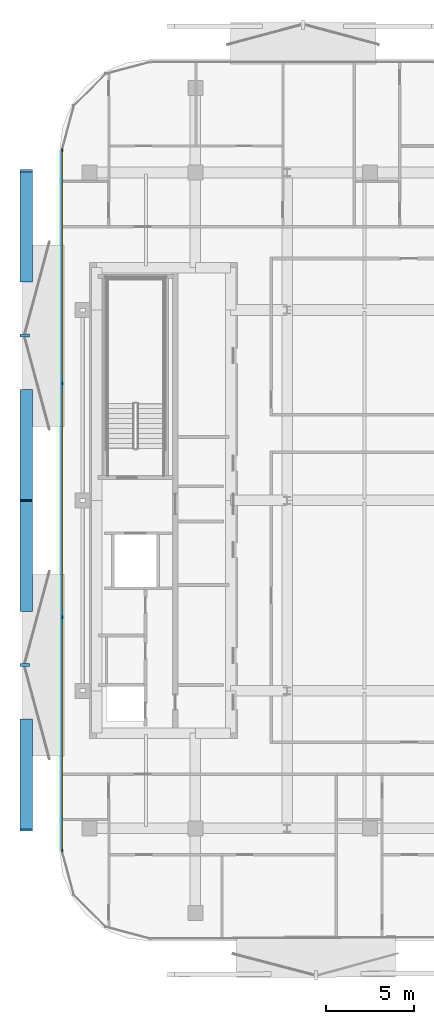
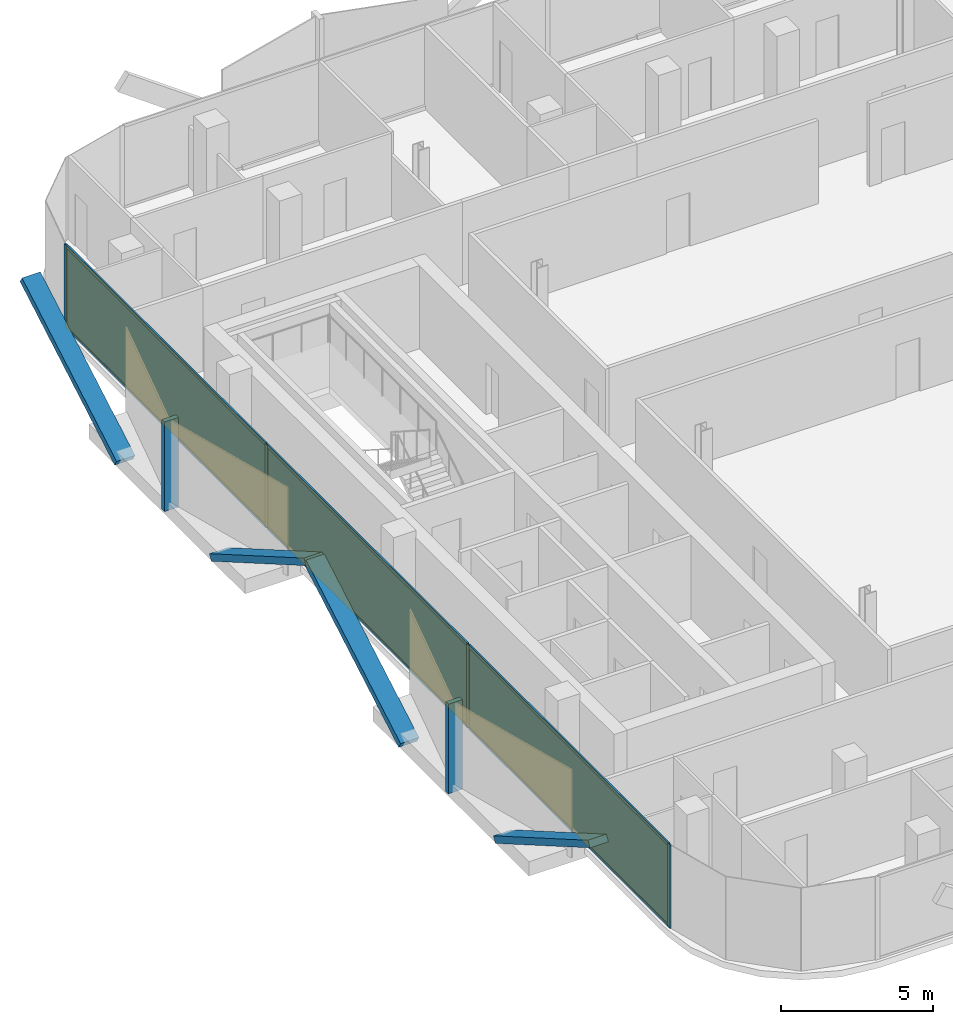
# One storey, part 9 of 15: 16 members, 3 plates, 1 curtain wall.
"""IFC4 building model written with IfcOpenShell, lengths in metres."""

from ifc_helpers import new_model, si_unit, direction, frame, frame_2d, origin, origin_2d, place, context, subcontext, project, spatial, rectangle, extrude, material, layer, layer_set, material_profile, profile_set, type_object, element, aggregate, save


model = new_model("IFC4")

# Units and contexts
model_context = context("Model", 3, precision=1e-05, world=origin(), true_north=direction((0.0, 1.0)))
body_context = subcontext(model_context, "Body", "Model", "MODEL_VIEW")
ifc_project = project(units=[si_unit("LENGTHUNIT", "METRE"), si_unit("AREAUNIT", "SQUARE_METRE"), si_unit("VOLUMEUNIT", "CUBIC_METRE"), si_unit("PLANEANGLEUNIT", "RADIAN"), si_unit("MASSUNIT", "GRAM", prefix="KILO")], contexts=[model_context])

# Member
ifc_material_1 = material(Name="Anodised Bronze Aluminium 6063-T6", Category="aluminium")
ifc_material_profile_1 = material_profile(ifc_material_1, rectangle(XDim=0.260009765625, YDim=0.699951171875, at=origin_2d()))
ifc_profile_set_1 = profile_set([ifc_material_profile_1], Name="Anodised Bronze Aluminium 6063-T6")
member_type_1 = type_object("IfcMemberType", Name="Bronze Diamond Solar-Screen Lattice Rib BDL-700", PredefinedType="MULLION", material=ifc_profile_set_1)
site_placement = place(None, origin())
building_placement = place(site_placement, origin())
storey_placement = place(building_placement, frame((0.0, 0.0, 251.199951171875)))
member_1_placement = place(storey_placement, frame((-24.0, -6.230224609375, -0.1298828125), z_axis=(0.0, 0.865854948139, 0.500295121686), x_axis=(0.0, -0.500295121686, 0.865854948139)))
member_1 = element("IfcMember", 1, at=member_1_placement, type_object=member_type_1, Name="L59 Bronze Diamond Solar Screen Lattice Rib 403A", PredefinedType="MULLION", context=body_context, shape_type="SweptSolid", body=[
    extrude(rectangle(XDim=0.260009765625, YDim=0.699951171875, at=origin_2d()), origin(), (0.0, 0.0, 1.0), 7.195556640625),
])

member_2_placement = place(storey_placement, frame((-24.0, -12.46044921875, -0.1298828125), z_axis=(0.0, -0.865863440235, 0.500280424227), x_axis=(0.0, 0.500280424227, 0.865863440235)))
member_2 = element("IfcMember", 2, at=member_2_placement, type_object=member_type_1, Name="L59 Bronze Diamond Solar Screen Lattice Rib 403B", PredefinedType="MULLION", context=body_context, shape_type="SweptSolid", body=[
    extrude(rectangle(XDim=0.260009765625, YDim=0.699951171875, at=origin_2d()), origin(), (0.0, 0.0, 1.0), 7.195556640625),
])

member_3_placement = place(storey_placement, frame((-24.0, 12.46044921875, -0.1298828125), z_axis=(0.0, 0.865863440235, 0.500280424227), x_axis=(0.0, -0.500280424227, 0.865863440235)))
member_3 = element("IfcMember", 3, at=member_3_placement, type_object=member_type_1, Name="L59 Bronze Diamond Solar Screen Lattice Rib 404A", PredefinedType="MULLION", context=body_context, shape_type="SweptSolid", body=[
    extrude(rectangle(XDim=0.260009765625, YDim=0.699951171875, at=origin_2d()), origin(), (0.0, 0.0, 1.0), 7.195556640625),
])

member_4_placement = place(storey_placement, frame((-24.0, 6.230224609375, -0.1298828125), z_axis=(0.0, -0.865854948139, 0.500295121686), x_axis=(0.0, 0.500295121686, 0.865854948139)))
member_4 = element("IfcMember", 4, at=member_4_placement, type_object=member_type_1, Name="L59 Bronze Diamond Solar Screen Lattice Rib 404B", PredefinedType="MULLION", context=body_context, shape_type="SweptSolid", body=[
    extrude(rectangle(XDim=0.260009765625, YDim=0.699951171875, at=origin_2d()), origin(), (0.0, 0.0, 1.0), 7.195556640625),
])

ifc_material_2 = material(Name="Anodised Bronze Aluminium 6063-T6", Category="aluminium")
ifc_material_profile_2 = material_profile(ifc_material_2, rectangle(XDim=0.179931640625, YDim=0.5400390625, at=origin_2d()))
ifc_profile_set_2 = profile_set([ifc_material_profile_2], Name="Anodised Bronze Aluminium 6063-T6")
member_type_2 = type_object("IfcMemberType", Name="Bronze Solar-Screen Vertical Fold Fin BSF-540", PredefinedType="MULLION", material=ifc_profile_set_2)
member_5_placement = place(storey_placement, frame((-24.080078125, -9.345458984375, -0.1298828125), z_axis=(0.0, 0.0, 1.0), x_axis=(0.0, 1.0, 0.0)))
member_5 = element("IfcMember", 5, at=member_5_placement, type_object=member_type_2, Name="L59 Bronze Solar Screen Vertical Fin 403", PredefinedType="MULLION", context=body_context, shape_type="SweptSolid", body=[
    extrude(rectangle(XDim=0.179931640625, YDim=0.5400390625, at=origin_2d()), origin(), (0.0, 0.0, 1.0), 3.599853515625),
])

member_6_placement = place(storey_placement, frame((-24.080078125, 9.345458984375, -0.1298828125), z_axis=(0.0, 0.0, 1.0), x_axis=(0.0, 1.0, 0.0)))
member_6 = element("IfcMember", 6, at=member_6_placement, type_object=member_type_2, Name="L59 Bronze Solar Screen Vertical Fin 404", PredefinedType="MULLION", context=body_context, shape_type="SweptSolid", body=[
    extrude(rectangle(XDim=0.179931640625, YDim=0.5400390625, at=origin_2d()), origin(), (0.0, 0.0, 1.0), 3.599853515625),
])

ifc_material_3 = material(Name="Anodised Bronze Aluminium 6063-T6", Category="aluminium")
ifc_material_profile_3 = material_profile(ifc_material_3, rectangle(XDim=0.06005859375, YDim=0.159912109375, at=origin_2d()))
ifc_profile_set_3 = profile_set([ifc_material_profile_3], Name="Anodised Bronze Aluminium 6063-T6")
member_type_3 = type_object("IfcMemberType", Name="CW-Z4 Mullion 60x160", PredefinedType="MULLION", material=ifc_profile_set_3)
member_7_placement = place(storey_placement, frame((-21.9599609375, -19.86083984375, 0.0), z_axis=(0.0, 0.0, 1.0), x_axis=(-1.0, 0.0, 0.0)))
member_7 = element("IfcMember", 7, at=member_7_placement, type_object=member_type_3, Name="CW-Z4 mullion 1", PredefinedType="MULLION", context=body_context, shape_type="SweptSolid", body=[
    extrude(rectangle(XDim=0.06005859375, YDim=0.159912109375, at=origin_2d()), origin(), (0.0, 0.0, 1.0), 3.340087890625),
])

member_8_placement = place(storey_placement, frame((-21.9599609375, -6.63037109375, 0.0), z_axis=(0.0, 0.0, 1.0), x_axis=(-1.0, 0.0, 0.0)))
member_8 = element("IfcMember", 8, at=member_8_placement, type_object=member_type_3, Name="CW-Z4 mullion 2", PredefinedType="MULLION", context=body_context, shape_type="SweptSolid", body=[
    extrude(rectangle(XDim=0.06005859375, YDim=0.159912109375, at=origin_2d()), origin(), (0.0, 0.0, 1.0), 3.340087890625),
])

member_9_placement = place(storey_placement, frame((-21.9599609375, 6.63037109375, 0.0), z_axis=(0.0, 0.0, 1.0), x_axis=(-1.0, 0.0, 0.0)))
member_9 = element("IfcMember", 9, at=member_9_placement, type_object=member_type_3, Name="CW-Z4 mullion 3", PredefinedType="MULLION", context=body_context, shape_type="SweptSolid", body=[
    extrude(rectangle(XDim=0.06005859375, YDim=0.159912109375, at=origin_2d()), origin(), (0.0, 0.0, 1.0), 3.340087890625),
])

member_10_placement = place(storey_placement, frame((-21.9599609375, 19.86083984375, 0.0), z_axis=(0.0, 0.0, 1.0), x_axis=(-1.0, 0.0, 0.0)))
member_10 = element("IfcMember", 10, at=member_10_placement, type_object=member_type_3, Name="CW-Z4 mullion 4", PredefinedType="MULLION", context=body_context, shape_type="SweptSolid", body=[
    extrude(rectangle(XDim=0.06005859375, YDim=0.159912109375, at=origin_2d()), origin(), (0.0, 0.0, 1.0), 3.340087890625),
])

ifc_material_4 = material(Name="Anodised Bronze Aluminium 6063-T6", Category="aluminium")
ifc_material_profile_4 = material_profile(ifc_material_4, rectangle(XDim=0.06005859375, YDim=0.125, at=origin_2d()))
ifc_profile_set_4 = profile_set([ifc_material_profile_4], Name="Anodised Bronze Aluminium 6063-T6")
member_type_4 = type_object("IfcMemberType", Name="CW-Z4 Transom 60x125", PredefinedType="USERDEFINED", material=ifc_profile_set_4)
member_11_placement = place(storey_placement, frame((-21.9599609375, -19.830810546875, 0.030029296875), z_axis=(0.0, 1.0, 0.0), x_axis=(-1.0, 0.0, 0.0)))
member_11 = element("IfcMember", 11, at=member_11_placement, type_object=member_type_4, Name="CW-Z4 transom 1.1", ObjectType="TRANSOM", PredefinedType="USERDEFINED", context=body_context, shape_type="SweptSolid", body=[
    extrude(rectangle(XDim=0.06005859375, YDim=0.125, at=origin_2d()), origin(), (0.0, 0.0, 1.0), 13.170654296875),
])

member_12_placement = place(storey_placement, frame((-21.9599609375, -19.830810546875, 3.31005859375), z_axis=(0.0, 1.0, 0.0), x_axis=(-1.0, 0.0, 0.0)))
member_12 = element("IfcMember", 12, at=member_12_placement, type_object=member_type_4, Name="CW-Z4 transom 1.2", ObjectType="TRANSOM", PredefinedType="USERDEFINED", context=body_context, shape_type="SweptSolid", body=[
    extrude(rectangle(XDim=0.06005859375, YDim=0.125, at=origin_2d()), origin(), (0.0, 0.0, 1.0), 13.170654296875),
])

member_13_placement = place(storey_placement, frame((-21.9599609375, -6.600341796875, 0.030029296875), z_axis=(0.0, 1.0, 0.0), x_axis=(-1.0, 0.0, 0.0)))
member_13 = element("IfcMember", 13, at=member_13_placement, type_object=member_type_4, Name="CW-Z4 transom 2.1", ObjectType="TRANSOM", PredefinedType="USERDEFINED", context=body_context, shape_type="SweptSolid", body=[
    extrude(rectangle(XDim=0.06005859375, YDim=0.125, at=origin_2d()), origin(), (0.0, 0.0, 1.0), 13.20068359375),
])

member_14_placement = place(storey_placement, frame((-21.9599609375, -6.600341796875, 3.31005859375), z_axis=(0.0, 1.0, 0.0), x_axis=(-1.0, 0.0, 0.0)))
member_14 = element("IfcMember", 14, at=member_14_placement, type_object=member_type_4, Name="CW-Z4 transom 2.2", ObjectType="TRANSOM", PredefinedType="USERDEFINED", context=body_context, shape_type="SweptSolid", body=[
    extrude(rectangle(XDim=0.06005859375, YDim=0.125, at=origin_2d()), origin(), (0.0, 0.0, 1.0), 13.20068359375),
])

member_15_placement = place(storey_placement, frame((-21.9599609375, 6.66015625, 0.030029296875), z_axis=(0.0, 1.0, 0.0), x_axis=(-1.0, 0.0, 0.0)))
member_15 = element("IfcMember", 15, at=member_15_placement, type_object=member_type_4, Name="CW-Z4 transom 3.1", ObjectType="TRANSOM", PredefinedType="USERDEFINED", context=body_context, shape_type="SweptSolid", body=[
    extrude(rectangle(XDim=0.06005859375, YDim=0.125, at=origin_2d()), origin(), (0.0, 0.0, 1.0), 13.170654296875),
])

member_16_placement = place(storey_placement, frame((-21.9599609375, 6.66015625, 3.31005859375), z_axis=(0.0, 1.0, 0.0), x_axis=(-1.0, 0.0, 0.0)))
member_16 = element("IfcMember", 16, at=member_16_placement, type_object=member_type_4, Name="CW-Z4 transom 3.2", ObjectType="TRANSOM", PredefinedType="USERDEFINED", context=body_context, shape_type="SweptSolid", body=[
    extrude(rectangle(XDim=0.06005859375, YDim=0.125, at=origin_2d()), origin(), (0.0, 0.0, 1.0), 13.170654296875),
])

# Plate
ifc_material_5 = material(Name="Low-E Solar Control Laminated Glass", Category="glass")
ifc_layer_1 = layer(ifc_material_5, 0.030029296875, Name="Low-E Solar Control Laminated Glass")
ifc_layer_set_1 = layer_set([ifc_layer_1], Name="Low-E Solar Control Laminated Glass")
plate_type = type_object("IfcPlateType", Name="CW-Z4 Low-E Double Glazed Panel 30mm", PredefinedType="CURTAIN_PANEL", material=ifc_layer_set_1)
plate_1_placement = place(storey_placement, frame((-21.9599609375, -13.24560546875, 0.06005859375), z_axis=(0.0, 0.0, 1.0), x_axis=(0.0, 1.0, 0.0)))
plate_1 = element("IfcPlate", 17, at=plate_1_placement, type_object=plate_type, Name="CW-Z4 panel 1.1", PredefinedType="CURTAIN_PANEL", context=body_context, shape_type="SweptSolid", body=[
    extrude(rectangle(XDim=13.170654296875, YDim=0.030029296875, at=origin_2d()), origin(), (0.0, 0.0, 1.0), 3.219970703125),
])

plate_2_placement = place(storey_placement, frame((-21.9599609375, 0.0, 0.06005859375), z_axis=(0.0, 0.0, 1.0), x_axis=(0.0, 1.0, 0.0)))
plate_2 = element("IfcPlate", 18, at=plate_2_placement, type_object=plate_type, Name="CW-Z4 panel 2.1", PredefinedType="CURTAIN_PANEL", context=body_context, shape_type="SweptSolid", body=[
    extrude(rectangle(XDim=13.200439453125, YDim=0.030029296875, at=origin_2d()), origin(), (0.0, 0.0, 1.0), 3.219970703125),
])

plate_3_placement = place(storey_placement, frame((-21.9599609375, 13.24560546875, 0.06005859375), z_axis=(0.0, 0.0, 1.0), x_axis=(0.0, 1.0, 0.0)))
plate_3 = element("IfcPlate", 19, at=plate_3_placement, type_object=plate_type, Name="CW-Z4 panel 3.1", PredefinedType="CURTAIN_PANEL", context=body_context, shape_type="SweptSolid", body=[
    extrude(rectangle(XDim=13.170654296875, YDim=0.030029296875, at=origin_2d()), origin(), (0.0, 0.0, 1.0), 3.219970703125),
])

# Site, building, storey
site = spatial("IfcSite", under=ifc_project, at=site_placement, CompositionType="ELEMENT")
building = spatial("IfcBuilding", under=site, at=building_placement, Name="Khairoan Windgate Tower", CompositionType="ELEMENT")
storey = spatial("IfcBuildingStorey", under=building, at=storey_placement, Name="L59", CompositionType="ELEMENT", Elevation=251.199951171875)

# Curtain wall
ifc_material_6 = material(Name="Anodised Bronze Aluminium 6063-T6", Category="aluminium")
ifc_layer_2 = layer(ifc_material_6, 0.159912109375, Name="Anodised Bronze Aluminium 6063-T6")
ifc_layer_set_2 = layer_set([ifc_layer_2], Name="Anodised Bronze Aluminium 6063-T6")
curtain_wall_type = type_object("IfcCurtainWallType", Name="Sky Residence Unitised Curtain Wall CW-Z4", PredefinedType="NOTDEFINED", material=ifc_layer_set_2)
curtain_wall_placement = place(storey_placement, frame((-21.9599609375, -19.890869140625, 0.0), z_axis=(0.0, 0.0, 1.0), x_axis=(0.0, 1.0, 0.0)))
curtain_wall = element("IfcCurtainWall", 20, at=curtain_wall_placement, inside=storey, type_object=curtain_wall_type, Name="L59 Unitised Curtain Wall 5", PredefinedType="NOTDEFINED", context=body_context, shape_type="SweptSolid", body=[
    extrude(rectangle(XDim=39.78173828125, YDim=0.010009765625, at=frame_2d((19.890869140625, 0.0))), origin(), (0.0, 0.0, 1.0), 3.340087890625),
])

aggregate(curtain_wall, [member_7, member_8, member_9, member_10, member_11, member_12, plate_1, member_13, member_14, plate_2, member_15, member_16, plate_3, member_1, member_2, member_5, member_3, member_4, member_6])

save(model, "model.ifc")
